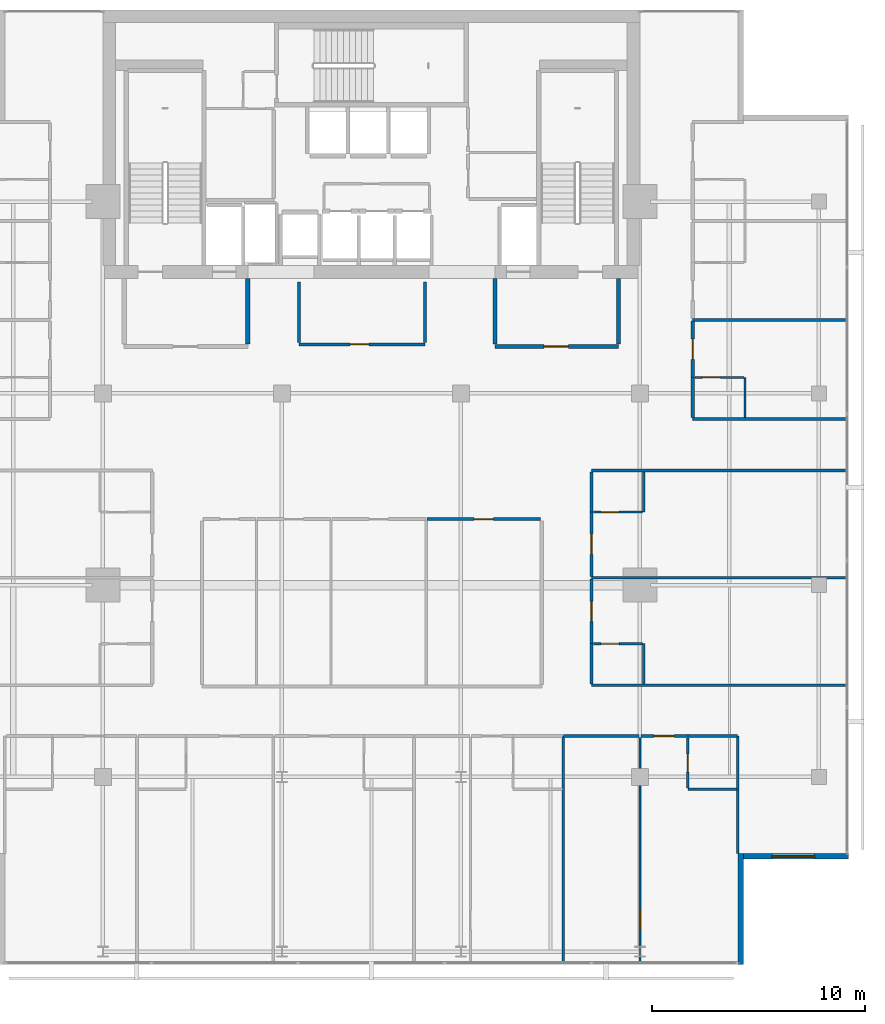
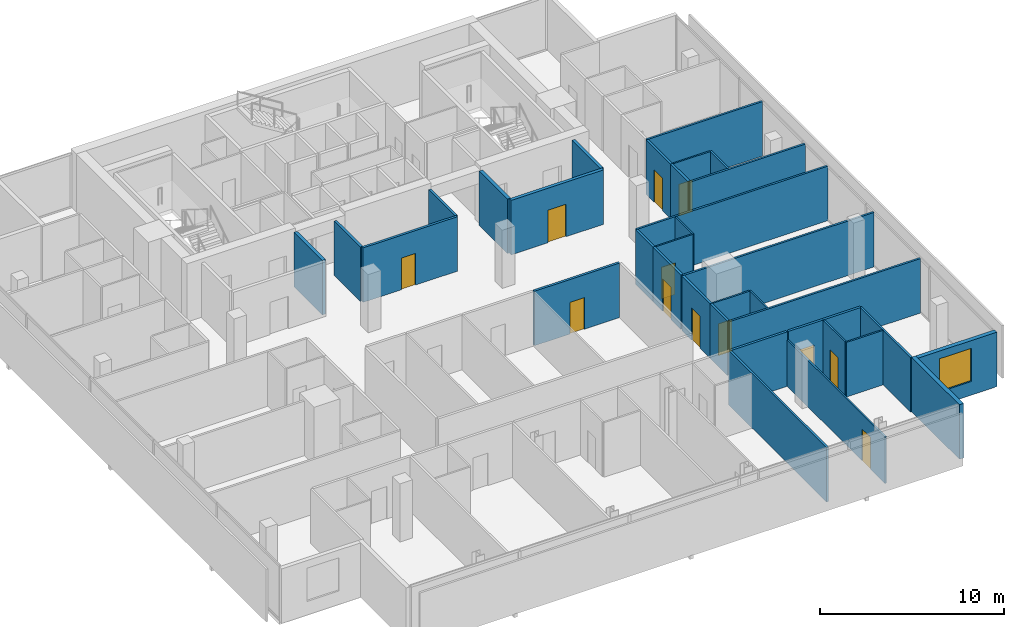
# One storey, part 21 of 26: 35 walls, 12 doors, 1 window, 13 openings.
"""IFC4 building model written with IfcOpenShell, lengths in metres."""

import ifcopenshell
import ifcopenshell.guid

model = None  # the IFC model being written
_history = None  # IfcOwnerHistory: only IFC2X3 demands one
_inside = {}  # id of a spatial element -> (the spatial element, [elements in it])
_under = {}  # id of a project, library or spatial element -> (it, [spatial elements below it])
_declared = {}  # id of a project -> (the project, [libraries it declares])
_typed = {}  # id of a type object -> (the type object, [elements of that type])
_made_of = {}  # id of a material, layer set ... -> (it, [elements and type objects made of it])


def new_model(schema):
    """Start an empty IFC model of exactly this schema.

    Asked for "IFC4X3", IfcOpenShell would pick the latest addendum, in which some entities
    have other attributes; the version numbers below select the first issue.
    IFC2X3 requires an IfcOwnerHistory on every rooted entity: one is made here for all.
    """
    global model, _history
    if schema == "IFC4X3":
        model = ifcopenshell.file(schema_version=(4, 3, 0, 0))
    else:
        model = ifcopenshell.file(schema=schema)
    _inside.clear()
    _under.clear()
    _declared.clear()
    _typed.clear()
    _made_of.clear()
    _history = None
    if model.schema == "IFC2X3":
        org = make("IfcOrganization", Name="unknown")
        user = make(
            "IfcPersonAndOrganization",
            ThePerson=make("IfcPerson", FamilyName="unknown"),
            TheOrganization=org,
        )
        app = make(
            "IfcApplication",
            ApplicationDeveloper=org,
            Version="unknown",
            ApplicationFullName="unknown",
            ApplicationIdentifier="unknown",
        )
        _history = make(
            "IfcOwnerHistory",
            OwningUser=user,
            OwningApplication=app,
            ChangeAction="ADDED",
            CreationDate=0,
        )
    return model


def make(cls, **values):
    """One entity of the class cls with the attributes given. An attribute that is None is left unset."""
    return model.create_entity(
        cls, **{name: value for name, value in values.items() if value is not None}
    )


def rooted(cls, **values):
    """An entity with a GlobalId (a new one), such as an element, a storey or a relation."""
    return make(cls, GlobalId=ifcopenshell.guid.new(), OwnerHistory=_history, **values)


def si_unit(unit_type, name, prefix=None):
    """IfcSIUnit, for example si_unit("LENGTHUNIT", "METRE", prefix="MILLI")."""
    return make("IfcSIUnit", UnitType=unit_type, Prefix=prefix, Name=name)


def assignment(units):
    """IfcUnitAssignment: the units of a project."""
    return None if units is None else make("IfcUnitAssignment", Units=units)


def point(xyz):
    """IfcCartesianPoint."""
    return None if xyz is None else make("IfcCartesianPoint", Coordinates=xyz)


def direction(xyz):
    """IfcDirection."""
    return None if xyz is None else make("IfcDirection", DirectionRatios=xyz)


def frame(location, z_axis=None, x_axis=None):
    """IfcAxis2Placement3D, a coordinate frame: its origin and axes. An axis left out is left unset."""
    return make(
        "IfcAxis2Placement3D",
        Location=point(location),
        Axis=direction(z_axis),
        RefDirection=direction(x_axis),
    )


def frame_2d(location, x_axis=None):
    """IfcAxis2Placement2D, a coordinate frame in the plane: its origin and x axis."""
    return make(
        "IfcAxis2Placement2D", Location=point(location), RefDirection=direction(x_axis)
    )


def origin():
    """The frame at (0, 0, 0) with its axes left unset."""
    return frame((0.0, 0.0, 0.0))


def place(relative_to, where):
    """IfcLocalPlacement: puts the frame where relative to a parent placement (None: the world)."""
    return make(
        "IfcLocalPlacement", PlacementRelTo=relative_to, RelativePlacement=where
    )


def context(
    kind, dimensions, precision=None, world=None, true_north=None, identifier=None
):
    """IfcGeometricRepresentationContext, for example the 3D "Model" context."""
    return make(
        "IfcGeometricRepresentationContext",
        ContextIdentifier=identifier,
        ContextType=kind,
        CoordinateSpaceDimension=dimensions,
        Precision=precision,
        WorldCoordinateSystem=world,
        TrueNorth=true_north,
    )


def subcontext(parent, identifier, kind, view, scale=None):
    """IfcGeometricRepresentationSubContext, for example "Body" below "Model"."""
    return make(
        "IfcGeometricRepresentationSubContext",
        ContextIdentifier=identifier,
        ContextType=kind,
        ParentContext=parent,
        TargetScale=scale,
        TargetView=view,
    )


def project(units=None, contexts=None):
    """IfcProject with its units and contexts."""
    return rooted(
        "IfcProject",
        Name="project",
        RepresentationContexts=contexts,
        UnitsInContext=assignment(units),
    )


def spatial(cls, under=None, at=None, **own):
    """A site, building, storey or space (cls), placed at a placement, below another one or the project."""
    s = rooted(cls, ObjectPlacement=at, **own)
    if under is not None:
        _under.setdefault(under.id(), (under, []))[1].append(s)
    return s


def profile(cls, at=None, kind="AREA", **sizes):
    """A parametric profile (cls). Its sizes go by their IFC names, for example OverallWidth=200.0."""
    return make(cls, ProfileType=kind, Position=at, **sizes)


def rectangle(**sizes):
    """IfcRectangleProfileDef."""
    return profile("IfcRectangleProfileDef", **sizes)


def extrude(swept, where, along, depth):
    """IfcExtrudedAreaSolid: the profile swept, set in the frame where, extruded along a direction by depth."""
    return make(
        "IfcExtrudedAreaSolid",
        SweptArea=swept,
        Position=where,
        ExtrudedDirection=direction(along),
        Depth=depth,
    )


def shape(context_of_items, identifier, shape_type, items):
    """IfcShapeRepresentation: the items that make up one representation, for example the "Body"."""
    return make(
        "IfcShapeRepresentation",
        ContextOfItems=context_of_items,
        RepresentationIdentifier=identifier,
        RepresentationType=shape_type,
        Items=items,
    )


def material(Name=None, Category=None):
    """IfcMaterial."""
    return make("IfcMaterial", Name=Name, Category=Category)


def layer(
    of_material, thickness, ventilated=None, Name=None, Category=None, Priority=None
):
    """IfcMaterialLayer: one layer of a wall or slab, of a material (None: an air gap)."""
    return make(
        "IfcMaterialLayer",
        Material=of_material,
        LayerThickness=thickness,
        IsVentilated=ventilated,
        Name=Name,
        Category=Category,
        Priority=Priority,
    )


def layer_set(layers, Name=None):
    """IfcMaterialLayerSet."""
    return make("IfcMaterialLayerSet", MaterialLayers=layers, LayerSetName=Name)


def made_of(thing, what):
    """Note that an element or type object is made of a material, layer set ...; save() writes the relation."""
    if what is not None:
        _made_of.setdefault(what.id(), (what, []))[1].append(thing)
    return thing


def type_object(cls, material=None, **own):
    """A type object (cls), such as IfcWallType, which elements share."""
    return made_of(rooted(cls, **own), material)


def element(
    cls,
    number,
    at=None,
    inside=None,
    cuts=None,
    type_object=None,
    material=None,
    context=None,
    identifier="Body",
    shape_type=None,
    held_by="IfcProductDefinitionShape",
    body=None,
    shapes=None,
    **own,
):
    """One element of the class cls, such as IfcWall. Its Tag is "e" and its number.

    at: its placement. inside: the storey or other place that contains it. cuts: it is an
    opening in that element (IfcRelVoidsElement). A single representation is given by context,
    identifier, shape_type and body (its items); several are given by shapes. held_by: the class
    of the entity that holds the representations. save() writes the other relations.
    """
    e = rooted(cls, Tag="e%d" % number, ObjectPlacement=at, **own)
    if body is not None:
        shapes = [shape(context, identifier, shape_type, body)]
    if shapes is not None:
        e.Representation = make(held_by, Representations=shapes)
    if inside is not None:
        _inside.setdefault(inside.id(), (inside, []))[1].append(e)
    if cuts is not None:
        rooted(
            "IfcRelVoidsElement", RelatingBuildingElement=cuts, RelatedOpeningElement=e
        )
    if type_object is not None:
        _typed.setdefault(type_object.id(), (type_object, []))[1].append(e)
    return made_of(e, material)


def fill(opening, filler):
    """IfcRelFillsElement: the door or window that sits in an opening."""
    return rooted(
        "IfcRelFillsElement",
        RelatingOpeningElement=opening,
        RelatedBuildingElement=filler,
    )


def aggregate(whole, parts):
    """IfcRelAggregates: a whole, such as a stair, and the parts it consists of."""
    return rooted("IfcRelAggregates", RelatingObject=whole, RelatedObjects=parts)


def save(model, path):
    """Write the relations noted so far, then the file.

    IfcRelAggregates (storeys below a building ...), IfcRelContainedInSpatialStructure (elements
    in a storey), IfcRelDefinesByType, IfcRelAssociatesMaterial and IfcRelDeclares: one each for
    every whole, place, type object, material and project.
    """
    for whole, parts in _under.values():
        aggregate(whole, parts)
    for where, things in _inside.values():
        rooted(
            "IfcRelContainedInSpatialStructure",
            RelatedElements=things,
            RelatingStructure=where,
        )
    for kind, things in _typed.values():
        rooted("IfcRelDefinesByType", RelatedObjects=things, RelatingType=kind)
    for what, things in _made_of.values():
        rooted("IfcRelAssociatesMaterial", RelatedObjects=things, RelatingMaterial=what)
    for by, libraries in _declared.values():
        rooted("IfcRelDeclares", RelatingContext=by, RelatedDefinitions=libraries)
    model.write(path)


model = new_model("IFC4")

# Units and contexts
model_context = context("Model", 3, precision=1e-05, world=origin(), true_north=direction((0.0, 1.0)))
body_context = subcontext(model_context, "Body", "Model", "MODEL_VIEW")
ifc_project = project(units=[si_unit("LENGTHUNIT", "METRE"), si_unit("AREAUNIT", "SQUARE_METRE"), si_unit("VOLUMEUNIT", "CUBIC_METRE"), si_unit("PLANEANGLEUNIT", "RADIAN"), si_unit("MASSUNIT", "GRAM", prefix="KILO")], contexts=[model_context])

# Site, building, storey
site_placement = place(None, origin())
site = spatial("IfcSite", under=ifc_project, at=site_placement, CompositionType="ELEMENT")
building_placement = place(site_placement, origin())
building = spatial("IfcBuilding", under=site, at=building_placement, Name="Maruvema Waterfront Hotel and Observation Tower", CompositionType="ELEMENT")
storey_placement = place(building_placement, frame((0.0, 0.0, 293.300048828125)))
storey = spatial("IfcBuildingStorey", under=building, at=storey_placement, Name="L72", CompositionType="ELEMENT", Elevation=293.300048828125)

# Wall, opening, door
ifc_material_1 = material(Name="Twin-stud acoustic gypsum drywall", Category="gypsum")
ifc_layer_1 = layer(ifc_material_1, 0.14990234375, Name="Acoustic Corridor and Suite Demising Wall 150 mm")
ifc_layer_set_1 = layer_set([ifc_layer_1], Name="Twin-stud acoustic gypsum drywall")
wall_type_1 = type_object("IfcWallType", Name="Acoustic Corridor and Suite Demising Wall 150 mm", PredefinedType="PARTITIONING", material=ifc_layer_set_1)
wall_1_placement = place(storey_placement, frame((34.39990234375, 38.300048828125, 0.0), z_axis=(0.0, 0.0, 1.0), x_axis=(1.0, 0.0, 0.0)))
wall_1 = element("IfcWall", 1, at=wall_1_placement, inside=storey, type_object=wall_type_1, Name="L72 Core Apron K0 South 022", PredefinedType="PARTITIONING", context=body_context, shape_type="SweptSolid", body=[
    extrude(rectangle(XDim=5.920166015625, YDim=0.14990234375, at=frame_2d((2.9599609375, 0.0))), origin(), (0.0, 0.0, 1.0), 3.60986328125),
])
opening_1_placement = place(wall_1_placement, frame((2.39990234375, 0.0, 0.0)))
opening_1 = element("IfcOpeningElement", 2, at=opening_1_placement, cuts=wall_1, Name="Opening DR-090", PredefinedType="OPENING", context=body_context, shape_type="SweptSolid", body=[
    extrude(rectangle(XDim=0.89990234375, YDim=2.10009765625, at=frame_2d((0.449951171875, 1.050048828125))), frame((0.0, 0.0849609375, 0.0), z_axis=(0.0, -1.0, 0.0), x_axis=(1.0, 0.0, 0.0)), (0.0, 0.0, 1.0), 0.169921875),
])
ifc_material_2 = material(Name="Solid-core lacquered timber leaf", Category="wood")
door_type_1 = type_object("IfcDoorType", Name="Accessible Toilet and Room Door 900x2100 mm", OperationType="NOTDEFINED", PredefinedType="DOOR", material=ifc_material_2)
door_1_placement = place(opening_1_placement, frame((0.89990234375, 0.0, 0.0), z_axis=(0.0, 0.0, 1.0), x_axis=(-1.0, 0.0, 0.0)))
door_1 = element("IfcDoor", 3, at=door_1_placement, inside=storey, type_object=door_type_1, Name="L72 Core Valet Room Door", OperationType="SINGLE_SWING_RIGHT", OverallHeight=2.10009765625, OverallWidth=0.89990234375, PredefinedType="DOOR", context=body_context, shape_type="SweptSolid", body=[
    extrude(rectangle(XDim=0.89990234375, YDim=2.10009765625, at=frame_2d((0.449951171875, 1.050048828125))), frame((0.0, 0.02490234375, 0.0), z_axis=(0.0, -1.0, 0.0), x_axis=(1.0, 0.0, 0.0)), (0.0, 0.0, 1.0), 0.050048828125),
])
fill(opening_1, door_1)

# Walls
for number, where, z_axis, x_axis, name in (
    (4, (34.39990234375, 38.3798828125, 0.0), (0.0, 0.0, 1.0), (0.0, 1.0, 0.0), "L72 Core Apron K0 West 023"),
    (5, (40.320068359375, 38.3798828125, 0.0), (0.0, 0.0, 1.0), (0.0, 1.0, 0.0), "L72 Core Apron K0 East 024"),
):
    element("IfcWall", number, at=place(storey_placement, frame(where, z_axis=z_axis, x_axis=x_axis)), inside=storey, type_object=wall_type_1, Name=name, PredefinedType="PARTITIONING", context=body_context, shape_type="SweptSolid", body=[
        extrude(rectangle(XDim=2.840087890625, YDim=0.14990234375, at=frame_2d((1.419921875, 0.0))), origin(), (0.0, 0.0, 1.0), 3.60986328125),
    ])

# Wall, opening, door
wall_2_placement = place(storey_placement, frame((40.406982421875, 30.10009765625, 0.0), z_axis=(0.0, 0.0, 1.0), x_axis=(1.0, 0.0, 0.0)))
wall_2 = element("IfcWall", 6, at=wall_2_placement, inside=storey, type_object=wall_type_1, Name="L72 L72-Z3M Front 4 034", PredefinedType="PARTITIONING", context=body_context, shape_type="SweptSolid", body=[
    extrude(rectangle(XDim=5.3330078125, YDim=0.14990234375, at=frame_2d((2.66650390625, 0.0))), origin(), (0.0, 0.0, 1.0), 3.60986328125),
])
opening_2_placement = place(wall_2_placement, frame((2.216552734375, 0.0, 0.0)))
opening_2 = element("IfcOpeningElement", 7, at=opening_2_placement, cuts=wall_2, Name="Opening DR-090", PredefinedType="OPENING", context=body_context, shape_type="SweptSolid", body=[
    extrude(rectangle(XDim=0.89990234375, YDim=2.10009765625, at=frame_2d((0.449951171875, 1.050048828125))), frame((0.0, 0.0849609375, 0.0), z_axis=(0.0, -1.0, 0.0), x_axis=(1.0, 0.0, 0.0)), (0.0, 0.0, 1.0), 0.169921875),
])
door_2_placement = place(opening_2_placement, origin())
door_2 = element("IfcDoor", 8, at=door_2_placement, inside=storey, type_object=door_type_1, Name="L72 Refreshment Kitchen Door", OperationType="SINGLE_SWING_RIGHT", OverallHeight=2.10009765625, OverallWidth=0.89990234375, PredefinedType="DOOR", context=body_context, shape_type="SweptSolid", body=[
    extrude(rectangle(XDim=0.89990234375, YDim=2.10009765625, at=frame_2d((0.449951171875, 1.050048828125))), frame((0.0, 0.02490234375, 0.0), z_axis=(0.0, -1.0, 0.0), x_axis=(1.0, 0.0, 0.0)), (0.0, 0.0, 1.0), 0.050048828125),
])
fill(opening_2, door_2)

# Walls
wall_3_placement = place(storey_placement, frame((52.64990234375, 19.919921875, 0.0), z_axis=(0.0, 0.0, 1.0), x_axis=(1.0, 0.0, 0.0)))
element("IfcWall", 9, at=wall_3_placement, inside=storey, type_object=wall_type_1, Name="L72 Bath L72-S5 Back Wall 059", PredefinedType="PARTITIONING", context=body_context, shape_type="SweptSolid", body=[
    extrude(rectangle(XDim=2.330078125, YDim=0.14990234375, at=frame_2d((1.1650390625, 0.0))), origin(), (0.0, 0.0, 1.0), 3.60986328125),
])
wall_4_placement = place(storey_placement, frame((46.820068359375, 19.919921875, 0.0), z_axis=(0.0, 0.0, 1.0), x_axis=(1.0, 0.0, 0.0)))
element("IfcWall", 10, at=wall_4_placement, inside=storey, type_object=wall_type_1, Name="L72 Bedroom L72-S5 Back Wall 062", PredefinedType="PARTITIONING", context=body_context, shape_type="SweptSolid", body=[
    extrude(rectangle(XDim=3.5478515625, YDim=0.14990234375, at=frame_2d((1.77392578125, 0.0))), origin(), (0.0, 0.0, 1.0), 3.60986328125),
])

# Wall, opening, door
wall_5_placement = place(storey_placement, frame((50.447998046875, 19.919921875, 0.0), z_axis=(0.0, 0.0, 1.0), x_axis=(1.0, 0.0, 0.0)))
wall_5 = element("IfcWall", 11, at=wall_5_placement, inside=storey, type_object=wall_type_1, Name="L72 Unit L72-S5 Corridor Wall 063", PredefinedType="PARTITIONING", context=body_context, shape_type="SweptSolid", body=[
    extrude(rectangle(XDim=2.201904296875, YDim=0.14990234375, at=frame_2d((1.10107421875, 0.0))), origin(), (0.0, 0.0, 1.0), 3.60986328125),
])
opening_3_placement = place(wall_5_placement, frame((0.6259765625, 0.0, 0.0)))
opening_3 = element("IfcOpeningElement", 12, at=opening_3_placement, cuts=wall_5, Name="Opening DR-095", PredefinedType="OPENING", context=body_context, shape_type="SweptSolid", body=[
    extrude(rectangle(XDim=0.949951171875, YDim=2.14990234375, at=frame_2d((0.47509765625, 1.074951171875))), frame((0.0, 0.0849609375, 0.0), z_axis=(0.0, -1.0, 0.0), x_axis=(1.0, 0.0, 0.0)), (0.0, 0.0, 1.0), 0.169921875),
])
ifc_material_3 = material(Name="Acoustic solid-core hardwood timber leaf", Category="wood")
door_type_2 = type_object("IfcDoorType", Name="Guestroom Entrance Fire Door 950x2150 mm", OperationType="NOTDEFINED", PredefinedType="DOOR", material=ifc_material_3)
door_3_placement = place(opening_3_placement, frame((0.949951171875, 0.0, 0.0), z_axis=(0.0, 0.0, 1.0), x_axis=(-1.0, 0.0, 0.0)))
door_3 = element("IfcDoor", 13, at=door_3_placement, inside=storey, type_object=door_type_2, Name="L72 Unit L72-S5 Entrance Door", OperationType="SINGLE_SWING_LEFT", OverallHeight=2.14990234375, OverallWidth=0.949951171875, PredefinedType="DOOR", context=body_context, shape_type="SweptSolid", body=[
    extrude(rectangle(XDim=0.949951171875, YDim=2.14990234375, at=frame_2d((0.47509765625, 1.074951171875))), frame((0.0, 0.02490234375, 0.0), z_axis=(0.0, -1.0, 0.0), x_axis=(1.0, 0.0, 0.0)), (0.0, 0.0, 1.0), 0.050048828125),
])
fill(opening_3, door_3)

# Wall
wall_6_placement = place(storey_placement, frame((48.1298828125, 22.360107421875, 0.0), z_axis=(0.0, 0.0, 1.0), x_axis=(0.0, 1.0, 0.0)))
element("IfcWall", 14, at=wall_6_placement, inside=storey, type_object=wall_type_1, Name="L72 Bath L72-E1 Wall 073", PredefinedType="PARTITIONING", context=body_context, shape_type="SweptSolid", body=[
    extrude(rectangle(XDim=1.889892578125, YDim=0.14990234375, at=frame_2d((0.94482421875, 0.0))), origin(), (0.0, 0.0, 1.0), 3.60986328125),
])

# Wall, opening, door
wall_7_placement = place(storey_placement, frame((48.1298828125, 24.25, 0.0), z_axis=(0.0, 0.0, 1.0), x_axis=(0.0, 1.0, 0.0)))
wall_7 = element("IfcWall", 15, at=wall_7_placement, inside=storey, type_object=wall_type_1, Name="L72 Room L72-E1 Corridor Wall 074", PredefinedType="PARTITIONING", context=body_context, shape_type="SweptSolid", body=[
    extrude(rectangle(XDim=3.030029296875, YDim=0.14990234375, at=frame_2d((1.51513671875, 0.0))), origin(), (0.0, 0.0, 1.0), 3.60986328125),
])
opening_4_placement = place(wall_7_placement, frame((1.0400390625, 0.0, 0.0)))
opening_4 = element("IfcOpeningElement", 16, at=opening_4_placement, cuts=wall_7, Name="Opening DR-095", PredefinedType="OPENING", context=body_context, shape_type="SweptSolid", body=[
    extrude(rectangle(XDim=0.949951171875, YDim=2.14990234375, at=frame_2d((0.47509765625, 1.074951171875))), frame((0.0, 0.0849609375, 0.0), z_axis=(0.0, -1.0, 0.0), x_axis=(1.0, 0.0, 0.0)), (0.0, 0.0, 1.0), 0.169921875),
])
door_4_placement = place(opening_4_placement, frame((0.949951171875, 0.0, 0.0), z_axis=(0.0, 0.0, 1.0), x_axis=(-1.0, 0.0, 0.0)))
door_4 = element("IfcDoor", 17, at=door_4_placement, inside=storey, type_object=door_type_2, Name="L72 Room L72-E1 Entrance Door", OperationType="SINGLE_SWING_RIGHT", OverallHeight=2.14990234375, OverallWidth=0.949951171875, PredefinedType="DOOR", context=body_context, shape_type="SweptSolid", body=[
    extrude(rectangle(XDim=0.949951171875, YDim=2.14990234375, at=frame_2d((0.47509765625, 1.074951171875))), frame((0.0, 0.02490234375, 0.0), z_axis=(0.0, -1.0, 0.0), x_axis=(1.0, 0.0, 0.0)), (0.0, 0.0, 1.0), 0.050048828125),
])
fill(opening_4, door_4)

wall_8_placement = place(storey_placement, frame((48.1298828125, 27.39990234375, 0.0), z_axis=(0.0, 0.0, 1.0), x_axis=(0.0, 1.0, 0.0)))
wall_8 = element("IfcWall", 18, at=wall_8_placement, inside=storey, type_object=wall_type_1, Name="L72 Room L72-E2 Corridor Wall 083", PredefinedType="PARTITIONING", context=body_context, shape_type="SweptSolid", body=[
    extrude(rectangle(XDim=3.030029296875, YDim=0.14990234375, at=frame_2d((1.51513671875, 0.0))), origin(), (0.0, 0.0, 1.0), 3.60986328125),
])
opening_5_placement = place(wall_8_placement, frame((1.0400390625, 0.0, 0.0)))
opening_5 = element("IfcOpeningElement", 19, at=opening_5_placement, cuts=wall_8, Name="Opening DR-095", PredefinedType="OPENING", context=body_context, shape_type="SweptSolid", body=[
    extrude(rectangle(XDim=0.949951171875, YDim=2.14990234375, at=frame_2d((0.47509765625, 1.074951171875))), frame((0.0, 0.0849609375, 0.0), z_axis=(0.0, -1.0, 0.0), x_axis=(1.0, 0.0, 0.0)), (0.0, 0.0, 1.0), 0.169921875),
])
door_5_placement = place(opening_5_placement, frame((0.949951171875, 0.0, 0.0), z_axis=(0.0, 0.0, 1.0), x_axis=(-1.0, 0.0, 0.0)))
door_5 = element("IfcDoor", 20, at=door_5_placement, inside=storey, type_object=door_type_2, Name="L72 Room L72-E2 Entrance Door", OperationType="SINGLE_SWING_RIGHT", OverallHeight=2.14990234375, OverallWidth=0.949951171875, PredefinedType="DOOR", context=body_context, shape_type="SweptSolid", body=[
    extrude(rectangle(XDim=0.949951171875, YDim=2.14990234375, at=frame_2d((0.47509765625, 1.074951171875))), frame((0.0, 0.02490234375, 0.0), z_axis=(0.0, -1.0, 0.0), x_axis=(1.0, 0.0, 0.0)), (0.0, 0.0, 1.0), 0.050048828125),
])
fill(opening_5, door_5)

# Walls
wall_9_placement = place(storey_placement, frame((48.1298828125, 30.429931640625, 0.0), z_axis=(0.0, 0.0, 1.0), x_axis=(0.0, 1.0, 0.0)))
element("IfcWall", 21, at=wall_9_placement, inside=storey, type_object=wall_type_1, Name="L72 Bath L72-E2 Wall 084", PredefinedType="PARTITIONING", context=body_context, shape_type="SweptSolid", body=[
    extrude(rectangle(XDim=1.89013671875, YDim=0.14990234375, at=frame_2d((0.945068359375, 0.0))), origin(), (0.0, 0.0, 1.0), 3.60986328125),
])
wall_10_placement = place(storey_placement, frame((52.8798828125, 34.860107421875, 0.0), z_axis=(0.0, 0.0, 1.0), x_axis=(0.0, 1.0, 0.0)))
element("IfcWall", 22, at=wall_10_placement, inside=storey, type_object=wall_type_1, Name="L72 Bath L72-NE1 Wall 095", PredefinedType="PARTITIONING", context=body_context, shape_type="SweptSolid", body=[
    extrude(rectangle(XDim=1.889892578125, YDim=0.14990234375, at=frame_2d((0.94482421875, 0.0))), origin(), (0.0, 0.0, 1.0), 3.60986328125),
])

# Wall, opening, door
wall_11_placement = place(storey_placement, frame((52.8798828125, 36.75, 0.0), z_axis=(0.0, 0.0, 1.0), x_axis=(0.0, 1.0, 0.0)))
wall_11 = element("IfcWall", 23, at=wall_11_placement, inside=storey, type_object=wall_type_1, Name="L72 Room L72-NE1 Corridor Wall 096", PredefinedType="PARTITIONING", context=body_context, shape_type="SweptSolid", body=[
    extrude(rectangle(XDim=2.6357421875, YDim=0.14990234375, at=frame_2d((1.31787109375, 0.0))), origin(), (0.0, 0.0, 1.0), 3.60986328125),
])
opening_6_placement = place(wall_11_placement, frame((0.843017578125, 0.0, 0.0)))
opening_6 = element("IfcOpeningElement", 24, at=opening_6_placement, cuts=wall_11, Name="Opening DR-095", PredefinedType="OPENING", context=body_context, shape_type="SweptSolid", body=[
    extrude(rectangle(XDim=0.949951171875, YDim=2.14990234375, at=frame_2d((0.47509765625, 1.074951171875))), frame((0.0, 0.0849609375, 0.0), z_axis=(0.0, -1.0, 0.0), x_axis=(1.0, 0.0, 0.0)), (0.0, 0.0, 1.0), 0.169921875),
])
door_6_placement = place(opening_6_placement, frame((0.949951171875, 0.0, 0.0), z_axis=(0.0, 0.0, 1.0), x_axis=(-1.0, 0.0, 0.0)))
door_6 = element("IfcDoor", 25, at=door_6_placement, inside=storey, type_object=door_type_2, Name="L72 Room L72-NE1 Entrance Door", OperationType="SINGLE_SWING_RIGHT", OverallHeight=2.14990234375, OverallWidth=0.949951171875, PredefinedType="DOOR", context=body_context, shape_type="SweptSolid", body=[
    extrude(rectangle(XDim=0.949951171875, YDim=2.14990234375, at=frame_2d((0.47509765625, 1.074951171875))), frame((0.0, 0.02490234375, 0.0), z_axis=(0.0, -1.0, 0.0), x_axis=(1.0, 0.0, 0.0)), (0.0, 0.0, 1.0), 0.050048828125),
])
fill(opening_6, door_6)

# Wall
ifc_material_4 = material(Name="Moisture-resistant cement-board drywall", Category="gypsum")
ifc_layer_2 = layer(ifc_material_4, 0.10009765625, Name="En-Suite Moisture-Resistant Partition 100 mm")
ifc_layer_set_2 = layer_set([ifc_layer_2], Name="Moisture-resistant cement-board drywall")
wall_type_2 = type_object("IfcWallType", Name="En-Suite Moisture-Resistant Partition 100 mm", PredefinedType="PARTITIONING", material=ifc_layer_set_2)
wall_12_placement = place(storey_placement, frame((52.64990234375, 17.419921875, 0.0), z_axis=(0.0, 0.0, 1.0), x_axis=(1.0, 0.0, 0.0)))
element("IfcWall", 26, at=wall_12_placement, inside=storey, type_object=wall_type_2, Name="L72 En-Suite L72-S5 South 060", PredefinedType="PARTITIONING", context=body_context, shape_type="SweptSolid", body=[
    extrude(rectangle(XDim=2.31005859375, YDim=0.10009765625, at=frame_2d((1.155029296875, 0.0))), origin(), (0.0, 0.0, 1.0), 3.60986328125),
])

# Wall, opening, door
wall_13_placement = place(storey_placement, frame((52.64990234375, 17.47998046875, 0.0), z_axis=(0.0, 0.0, 1.0), x_axis=(0.0, 1.0, 0.0)))
wall_13 = element("IfcWall", 27, at=wall_13_placement, inside=storey, type_object=wall_type_2, Name="L72 En-Suite L72-S5 West 061", PredefinedType="PARTITIONING", context=body_context, shape_type="SweptSolid", body=[
    extrude(rectangle(XDim=2.340087890625, YDim=0.10009765625, at=frame_2d((1.169921875, 0.0))), origin(), (0.0, 0.0, 1.0), 3.60986328125),
])
opening_7_placement = place(wall_13_placement, frame((0.7451171875, 0.0, 0.0)))
opening_7 = element("IfcOpeningElement", 28, at=opening_7_placement, cuts=wall_13, Name="Opening DR-085", PredefinedType="OPENING", context=body_context, shape_type="SweptSolid", body=[
    extrude(rectangle(XDim=0.85009765625, YDim=2.10009765625, at=frame_2d((0.425048828125, 1.050048828125))), frame((0.0, 0.06005859375, 0.0), z_axis=(0.0, -1.0, 0.0), x_axis=(1.0, 0.0, 0.0)), (0.0, 0.0, 1.0), 0.1201171875),
])
ifc_material_5 = material(Name="Moisture-resistant solid timber leaf", Category="wood")
door_type_3 = type_object("IfcDoorType", Name="En-Suite Bathroom Door 850x2100 mm", OperationType="NOTDEFINED", PredefinedType="DOOR", material=ifc_material_5)
door_7_placement = place(opening_7_placement, origin())
door_7 = element("IfcDoor", 29, at=door_7_placement, inside=storey, type_object=door_type_3, Name="L72 En-Suite L72-S5 Door", OperationType="SINGLE_SWING_RIGHT", OverallHeight=2.10009765625, OverallWidth=0.85009765625, PredefinedType="DOOR", context=body_context, shape_type="SweptSolid", body=[
    extrude(rectangle(XDim=0.85009765625, YDim=2.10009765625, at=frame_2d((0.425048828125, 1.050048828125))), frame((0.0, 0.02490234375, 0.0), z_axis=(0.0, -1.0, 0.0), x_axis=(1.0, 0.0, 0.0)), (0.0, 0.0, 1.0), 0.050048828125),
])
fill(opening_7, door_7)

wall_14_placement = place(storey_placement, frame((50.407958984375, 9.22998046875, 0.0), z_axis=(0.0, 0.0, 1.0), x_axis=(0.0, 1.0, 0.0)))
wall_14 = element("IfcWall", 30, at=wall_14_placement, inside=storey, type_object=wall_type_2, Name="L72 Suite L72-S5 Split 064", PredefinedType="PARTITIONING", context=body_context, shape_type="SweptSolid", body=[
    extrude(rectangle(XDim=10.630126953125, YDim=0.10009765625, at=frame_2d((5.31494140625, 0.0))), origin(), (0.0, 0.0, 1.0), 3.0810546875),
])
opening_8_placement = place(wall_14_placement, frame((1.60009765625, 0.0, 0.0)))
opening_8 = element("IfcOpeningElement", 31, at=opening_8_placement, cuts=wall_14, Name="Opening DR-090", PredefinedType="OPENING", context=body_context, shape_type="SweptSolid", body=[
    extrude(rectangle(XDim=0.89990234375, YDim=2.10009765625, at=frame_2d((0.449951171875, 1.050048828125))), frame((0.0, 0.06005859375, 0.0), z_axis=(0.0, -1.0, 0.0), x_axis=(1.0, 0.0, 0.0)), (0.0, 0.0, 1.0), 0.1201171875),
])
door_8_placement = place(opening_8_placement, frame((0.89990234375, 0.0, 0.0), z_axis=(0.0, 0.0, 1.0), x_axis=(-1.0, 0.0, 0.0)))
door_8 = element("IfcDoor", 32, at=door_8_placement, inside=storey, type_object=door_type_1, Name="L72 Suite L72-S5 Bedroom Door", OperationType="SINGLE_SWING_RIGHT", OverallHeight=2.10009765625, OverallWidth=0.89990234375, PredefinedType="DOOR", context=body_context, shape_type="SweptSolid", body=[
    extrude(rectangle(XDim=0.89990234375, YDim=2.10009765625, at=frame_2d((0.449951171875, 1.050048828125))), frame((0.0, 0.02490234375, 0.0), z_axis=(0.0, -1.0, 0.0), x_axis=(1.0, 0.0, 0.0)), (0.0, 0.0, 1.0), 0.050048828125),
])
fill(opening_8, door_8)

# Wall
wall_15_placement = place(storey_placement, frame((50.580078125, 22.360107421875, 0.0), z_axis=(0.0, 0.0, 1.0), x_axis=(0.0, 1.0, 0.0)))
element("IfcWall", 33, at=wall_15_placement, inside=storey, type_object=wall_type_2, Name="L72 En-Suite L72-E1 E 075", PredefinedType="PARTITIONING", context=body_context, shape_type="SweptSolid", body=[
    extrude(rectangle(XDim=1.889892578125, YDim=0.10009765625, at=frame_2d((0.94482421875, 0.0))), origin(), (0.0, 0.0, 1.0), 3.60986328125),
])

# Wall, opening, door
wall_16_placement = place(storey_placement, frame((48.22998046875, 24.25, 0.0), z_axis=(0.0, 0.0, 1.0), x_axis=(1.0, 0.0, 0.0)))
wall_16 = element("IfcWall", 34, at=wall_16_placement, inside=storey, type_object=wall_type_2, Name="L72 En-Suite L72-E1 N 076", PredefinedType="PARTITIONING", context=body_context, shape_type="SweptSolid", body=[
    extrude(rectangle(XDim=2.300048828125, YDim=0.10009765625, at=frame_2d((1.14990234375, 0.0))), origin(), (0.0, 0.0, 1.0), 3.60986328125),
])
opening_9_placement = place(wall_16_placement, frame((0.35009765625, 0.0, 0.0)))
opening_9 = element("IfcOpeningElement", 35, at=opening_9_placement, cuts=wall_16, Name="Opening DR-085", PredefinedType="OPENING", context=body_context, shape_type="SweptSolid", body=[
    extrude(rectangle(XDim=0.85009765625, YDim=2.10009765625, at=frame_2d((0.425048828125, 1.050048828125))), frame((0.0, 0.06005859375, 0.0), z_axis=(0.0, -1.0, 0.0), x_axis=(1.0, 0.0, 0.0)), (0.0, 0.0, 1.0), 0.1201171875),
])
door_9_placement = place(opening_9_placement, origin())
door_9 = element("IfcDoor", 36, at=door_9_placement, inside=storey, type_object=door_type_3, Name="L72 En-Suite L72-E1 Door", OperationType="SINGLE_SWING_LEFT", OverallHeight=2.10009765625, OverallWidth=0.85009765625, PredefinedType="DOOR", context=body_context, shape_type="SweptSolid", body=[
    extrude(rectangle(XDim=0.85009765625, YDim=2.10009765625, at=frame_2d((0.425048828125, 1.050048828125))), frame((0.0, 0.02490234375, 0.0), z_axis=(0.0, -1.0, 0.0), x_axis=(1.0, 0.0, 0.0)), (0.0, 0.0, 1.0), 0.050048828125),
])
fill(opening_9, door_9)

# Wall
wall_17_placement = place(storey_placement, frame((50.580078125, 30.429931640625, 0.0), z_axis=(0.0, 0.0, 1.0), x_axis=(0.0, 1.0, 0.0)))
element("IfcWall", 37, at=wall_17_placement, inside=storey, type_object=wall_type_2, Name="L72 En-Suite L72-E2 E 085", PredefinedType="PARTITIONING", context=body_context, shape_type="SweptSolid", body=[
    extrude(rectangle(XDim=1.89013671875, YDim=0.10009765625, at=frame_2d((0.945068359375, 0.0))), origin(), (0.0, 0.0, 1.0), 3.60986328125),
])

# Wall, opening, door
wall_18_placement = place(storey_placement, frame((48.22998046875, 30.429931640625, 0.0), z_axis=(0.0, 0.0, 1.0), x_axis=(1.0, 0.0, 0.0)))
wall_18 = element("IfcWall", 38, at=wall_18_placement, inside=storey, type_object=wall_type_2, Name="L72 En-Suite L72-E2 S 086", PredefinedType="PARTITIONING", context=body_context, shape_type="SweptSolid", body=[
    extrude(rectangle(XDim=2.300048828125, YDim=0.10009765625, at=frame_2d((1.14990234375, 0.0))), origin(), (0.0, 0.0, 1.0), 3.60986328125),
])
opening_10_placement = place(wall_18_placement, frame((0.35009765625, 0.0, 0.0)))
opening_10 = element("IfcOpeningElement", 39, at=opening_10_placement, cuts=wall_18, Name="Opening DR-085", PredefinedType="OPENING", context=body_context, shape_type="SweptSolid", body=[
    extrude(rectangle(XDim=0.85009765625, YDim=2.10009765625, at=frame_2d((0.425048828125, 1.050048828125))), frame((0.0, 0.06005859375, 0.0), z_axis=(0.0, -1.0, 0.0), x_axis=(1.0, 0.0, 0.0)), (0.0, 0.0, 1.0), 0.1201171875),
])
door_10_placement = place(opening_10_placement, frame((0.85009765625, 0.0, 0.0), z_axis=(0.0, 0.0, 1.0), x_axis=(-1.0, 0.0, 0.0)))
door_10 = element("IfcDoor", 40, at=door_10_placement, inside=storey, type_object=door_type_3, Name="L72 En-Suite L72-E2 Door", OperationType="SINGLE_SWING_LEFT", OverallHeight=2.10009765625, OverallWidth=0.85009765625, PredefinedType="DOOR", context=body_context, shape_type="SweptSolid", body=[
    extrude(rectangle(XDim=0.85009765625, YDim=2.10009765625, at=frame_2d((0.425048828125, 1.050048828125))), frame((0.0, 0.02490234375, 0.0), z_axis=(0.0, -1.0, 0.0), x_axis=(1.0, 0.0, 0.0)), (0.0, 0.0, 1.0), 0.050048828125),
])
fill(opening_10, door_10)

# Wall
wall_19_placement = place(storey_placement, frame((55.330078125, 34.860107421875, 0.0), z_axis=(0.0, 0.0, 1.0), x_axis=(0.0, 1.0, 0.0)))
element("IfcWall", 41, at=wall_19_placement, inside=storey, type_object=wall_type_2, Name="L72 En-Suite L72-NE1 E 097", PredefinedType="PARTITIONING", context=body_context, shape_type="SweptSolid", body=[
    extrude(rectangle(XDim=1.889892578125, YDim=0.10009765625, at=frame_2d((0.94482421875, 0.0))), origin(), (0.0, 0.0, 1.0), 3.60986328125),
])

# Wall, opening, door
wall_20_placement = place(storey_placement, frame((52.97998046875, 36.75, 0.0), z_axis=(0.0, 0.0, 1.0), x_axis=(1.0, 0.0, 0.0)))
wall_20 = element("IfcWall", 42, at=wall_20_placement, inside=storey, type_object=wall_type_2, Name="L72 En-Suite L72-NE1 N 098", PredefinedType="PARTITIONING", context=body_context, shape_type="SweptSolid", body=[
    extrude(rectangle(XDim=2.300048828125, YDim=0.10009765625, at=frame_2d((1.14990234375, 0.0))), origin(), (0.0, 0.0, 1.0), 3.60986328125),
])
opening_11_placement = place(wall_20_placement, frame((0.35009765625, 0.0, 0.0)))
opening_11 = element("IfcOpeningElement", 43, at=opening_11_placement, cuts=wall_20, Name="Opening DR-085", PredefinedType="OPENING", context=body_context, shape_type="SweptSolid", body=[
    extrude(rectangle(XDim=0.85009765625, YDim=2.10009765625, at=frame_2d((0.425048828125, 1.050048828125))), frame((0.0, 0.06005859375, 0.0), z_axis=(0.0, -1.0, 0.0), x_axis=(1.0, 0.0, 0.0)), (0.0, 0.0, 1.0), 0.1201171875),
])
door_11_placement = place(opening_11_placement, origin())
door_11 = element("IfcDoor", 44, at=door_11_placement, inside=storey, type_object=door_type_3, Name="L72 En-Suite L72-NE1 Door", OperationType="SINGLE_SWING_LEFT", OverallHeight=2.10009765625, OverallWidth=0.85009765625, PredefinedType="DOOR", context=body_context, shape_type="SweptSolid", body=[
    extrude(rectangle(XDim=0.85009765625, YDim=2.10009765625, at=frame_2d((0.425048828125, 1.050048828125))), frame((0.0, 0.02490234375, 0.0), z_axis=(0.0, -1.0, 0.0), x_axis=(1.0, 0.0, 0.0)), (0.0, 0.0, 1.0), 0.050048828125),
])
fill(opening_11, door_11)

# Wall
ifc_material_6 = material(Name="Precast concrete C45/55 with honed Pernambuco granite facing", Category="masonry")
ifc_layer_3 = layer(ifc_material_6, 0.260009765625, Name="Exterior Granite Clad Spandrel and Pier Wall 260 mm")
ifc_layer_set_3 = layer_set([ifc_layer_3], Name="Precast concrete C45/55 with honed Pernambuco granite facing")
wall_type_3 = type_object("IfcWallType", Name="Exterior Granite Clad Spandrel and Pier Wall 260 mm", PredefinedType="SOLIDWALL", material=ifc_layer_set_3)
wall_21_placement = place(storey_placement, frame((55.1298828125, 14.39990234375, 0.0), z_axis=(0.0, 0.0, 1.0), x_axis=(0.0, -1.0, 0.0)))
element("IfcWall", 45, at=wall_21_placement, inside=storey, type_object=wall_type_3, Name="L72 Corner Notch Granite Pier Wall SE1", PredefinedType="SOLIDWALL", context=body_context, shape_type="SweptSolid", body=[
    extrude(rectangle(XDim=5.199951171875, YDim=0.260009765625, at=frame_2d((2.60009765625, 0.0))), origin(), (0.0, 0.0, 1.0), 3.60986328125),
])

# Wall, opening, window
wall_22_placement = place(storey_placement, frame((60.199951171875, 14.27001953125, 0.0), z_axis=(0.0, 0.0, 1.0), x_axis=(-1.0, 0.0, 0.0)))
wall_22 = element("IfcWall", 46, at=wall_22_placement, inside=storey, type_object=wall_type_3, Name="L72 Corner Notch Granite Pier Wall SE2", PredefinedType="SOLIDWALL", context=body_context, shape_type="SweptSolid", body=[
    extrude(rectangle(XDim=5.199951171875, YDim=0.260009765625, at=frame_2d((2.60009765625, 0.0))), origin(), (0.0, 0.0, 1.0), 3.60986328125),
])
opening_12_placement = place(wall_22_placement, frame((1.60009765625, 0.0, 0.89990234375)))
opening_12 = element("IfcOpeningElement", 47, at=opening_12_placement, cuts=wall_22, Name="Opening WN-03", PredefinedType="OPENING", context=body_context, shape_type="SweptSolid", body=[
    extrude(rectangle(XDim=2.0, YDim=2.199951171875, at=frame_2d((1.0, 1.10009765625))), frame((0.0, 0.14013671875, 0.0), z_axis=(0.0, -1.0, 0.0), x_axis=(1.0, 0.0, 0.0)), (0.0, 0.0, 1.0), 0.280029296875),
])
ifc_material_7 = material(Name="Anodised bronze aluminium frame with laminated low-E glass", Category="aluminium")
window_type = type_object("IfcWindowType", Name="Sky Suite Panoramic Notch Window 2000x2200 mm", PartitioningType="SINGLE_PANEL", PredefinedType="WINDOW", material=ifc_material_7)
window_placement = place(opening_12_placement, origin())
window = element("IfcWindow", 48, at=window_placement, inside=storey, type_object=window_type, Name="L72 Corner Notch Punched Window SE2", OverallHeight=2.199951171875, OverallWidth=2.0, PartitioningType="SINGLE_PANEL", PredefinedType="WINDOW", context=body_context, shape_type="SweptSolid", body=[
    extrude(rectangle(XDim=2.0, YDim=2.199951171875, at=frame_2d((1.0, 1.10009765625))), frame((0.0, 0.030029296875, 0.0), z_axis=(0.0, -1.0, 0.0), x_axis=(1.0, 0.0, 0.0)), (0.0, 0.0, 1.0), 0.06005859375),
])
fill(opening_12, window)

# Wall
ifc_material_8 = material(Name="Autoclaved cellular concrete blockwork", Category="masonry")
ifc_layer_4 = layer(ifc_material_8, 0.199951171875, Name="Fire Compartment Masonry Wall 200 mm")
ifc_layer_set_4 = layer_set([ifc_layer_4], Name="Autoclaved cellular concrete blockwork")
wall_type_4 = type_object("IfcWallType", Name="Fire Compartment Masonry Wall 200 mm", PredefinedType="PARTITIONING", material=ifc_layer_set_4)
wall_23_placement = place(storey_placement, frame((32.0, 38.31005859375, 0.0), z_axis=(0.0, 0.0, 1.0), x_axis=(0.0, 1.0, 0.0)))
element("IfcWall", 49, at=wall_23_placement, inside=storey, type_object=wall_type_4, Name="L72 FFL West East Wall 003", PredefinedType="PARTITIONING", context=body_context, shape_type="SweptSolid", body=[
    extrude(rectangle(XDim=3.06982421875, YDim=0.199951171875, at=frame_2d((1.534912109375, 0.0))), origin(), (0.0, 0.0, 1.0), 3.60986328125),
])

# Wall, opening, door
wall_24_placement = place(storey_placement, frame((43.60009765625, 38.199951171875, 0.0), z_axis=(0.0, 0.0, 1.0), x_axis=(1.0, 0.0, 0.0)))
wall_24 = element("IfcWall", 50, at=wall_24_placement, inside=storey, type_object=wall_type_4, Name="L72 FFL East South Wall 004", PredefinedType="PARTITIONING", context=body_context, shape_type="SweptSolid", body=[
    extrude(rectangle(XDim=5.7998046875, YDim=0.199951171875, at=frame_2d((2.89990234375, 0.0))), origin(), (0.0, 0.0, 1.0), 3.60986328125),
])
opening_13_placement = place(wall_24_placement, frame((2.300048828125, 0.0, 0.0)))
opening_13 = element("IfcOpeningElement", 51, at=opening_13_placement, cuts=wall_24, Name="Opening FD-115", PredefinedType="OPENING", context=body_context, shape_type="SweptSolid", body=[
    extrude(rectangle(XDim=1.14990234375, YDim=2.14990234375, at=frame_2d((0.574951171875, 1.074951171875))), frame((0.0, 0.10986328125, 0.0), z_axis=(0.0, -1.0, 0.0), x_axis=(1.0, 0.0, 0.0)), (0.0, 0.0, 1.0), 0.219970703125),
])
ifc_material_9 = material(Name="Fire-rated galvanised steel and vision glass", Category="steel")
door_type_4 = type_object("IfcDoorType", Name="Firefighting Lobby Fire Door 1150x2150 mm", OperationType="NOTDEFINED", PredefinedType="DOOR", material=ifc_material_9)
door_12_placement = place(opening_13_placement, frame((1.14990234375, 0.0, 0.0), z_axis=(0.0, 0.0, 1.0), x_axis=(-1.0, 0.0, 0.0)))
door_12 = element("IfcDoor", 52, at=door_12_placement, inside=storey, type_object=door_type_4, Name="L72 Firefighting Lobby East Door", OperationType="SINGLE_SWING_LEFT", OverallHeight=2.14990234375, OverallWidth=1.14990234375, PredefinedType="DOOR", context=body_context, shape_type="SweptSolid", body=[
    extrude(rectangle(XDim=1.14990234375, YDim=2.14990234375, at=frame_2d((0.574951171875, 1.074951171875))), frame((0.0, 0.02490234375, 0.0), z_axis=(0.0, -1.0, 0.0), x_axis=(1.0, 0.0, 0.0)), (0.0, 0.0, 1.0), 0.050048828125),
])
fill(opening_13, door_12)

# Walls
for number, where, z_axis, x_axis, name in (
    (53, (43.60009765625, 38.31005859375, 0.0), (0.0, 0.0, 1.0), (0.0, 1.0, 0.0), "L72 FFL East West Wall 005"),
    (54, (49.39990234375, 38.31005859375, 0.0), (0.0, 0.0, 1.0), (0.0, 1.0, 0.0), "L72 FFL East East Wall 006"),
):
    element("IfcWall", number, at=place(storey_placement, frame(where, z_axis=z_axis, x_axis=x_axis)), inside=storey, type_object=wall_type_4, Name=name, PredefinedType="PARTITIONING", context=body_context, shape_type="SweptSolid", body=[
        extrude(rectangle(XDim=3.06982421875, YDim=0.199951171875, at=frame_2d((1.534912109375, 0.0))), origin(), (0.0, 0.0, 1.0), 3.60986328125),
    ])
ifc_material_10 = material(Name="Acoustic gypsum plasterboard drywall", Category="gypsum")
ifc_layer_5 = layer(ifc_material_10, 0.125, Name="Guestroom Acoustic Demising Wall 125 mm")
ifc_layer_set_5 = layer_set([ifc_layer_5], Name="Acoustic gypsum plasterboard drywall")
wall_type_5 = type_object("IfcWallType", Name="Guestroom Acoustic Demising Wall 125 mm", PredefinedType="PARTITIONING", material=ifc_layer_set_5)
wall_25_placement = place(storey_placement, frame((55.0, 14.39990234375, 0.0), z_axis=(0.0, 0.0, 1.0), x_axis=(0.0, 1.0, 0.0)))
element("IfcWall", 55, at=wall_25_placement, inside=storey, type_object=wall_type_5, Name="L72 Z3 S East End 036", PredefinedType="PARTITIONING", context=body_context, shape_type="SweptSolid", body=[
    extrude(rectangle(XDim=5.52001953125, YDim=0.125, at=frame_2d((2.760009765625, 0.0))), origin(), (0.0, 0.0, 1.0), 3.60986328125),
])
wall_26_placement = place(storey_placement, frame((46.800048828125, 9.300048828125, 0.0), z_axis=(0.0, 0.0, 1.0), x_axis=(0.0, 1.0, 0.0)))
element("IfcWall", 56, at=wall_26_placement, inside=storey, type_object=wall_type_5, Name="L72 Z3 S Demising 5 058", PredefinedType="PARTITIONING", context=body_context, shape_type="SweptSolid", body=[
    extrude(rectangle(XDim=10.619873046875, YDim=0.125, at=frame_2d((5.31005859375, 0.0))), origin(), (0.0, 0.0, 1.0), 3.60986328125),
])
for number, where, z_axis, x_axis, name in (
    (57, (48.1298828125, 22.300048828125, 0.0), (0.0, 0.0, 1.0), (1.0, 0.0, 0.0), "L72 Z3 E Bot End 066"),
    (58, (48.1298828125, 32.3798828125, 0.0), (0.0, 0.0, 1.0), (1.0, 0.0, 0.0), "L72 Z3 E Top End 068"),
    (59, (48.1298828125, 27.340087890625, 0.0), (0.0, 0.0, 1.0), (1.0, 0.0, 0.0), "L72 Z3 E Demising 2 078"),
):
    element("IfcWall", number, at=place(storey_placement, frame(where, z_axis=z_axis, x_axis=x_axis)), inside=storey, type_object=wall_type_5, Name=name, PredefinedType="PARTITIONING", context=body_context, shape_type="SweptSolid", body=[
        extrude(rectangle(XDim=11.97021484375, YDim=0.125, at=frame_2d((5.985107421875, 0.0))), origin(), (0.0, 0.0, 1.0), 3.60986328125),
    ])
for number, where, z_axis, x_axis, name in (
    (60, (52.8798828125, 34.800048828125, 0.0), (0.0, 0.0, 1.0), (1.0, 0.0, 0.0), "L72 Z3 NE Bot End 088"),
    (61, (52.8798828125, 39.44580078125, 0.0), (0.0, 0.0, 1.0), (1.0, 0.0, 0.0), "L72 Z3 NE Demising 2 100"),
):
    element("IfcWall", number, at=place(storey_placement, frame(where, z_axis=z_axis, x_axis=x_axis)), inside=storey, type_object=wall_type_5, Name=name, PredefinedType="PARTITIONING", context=body_context, shape_type="SweptSolid", body=[
        extrude(rectangle(XDim=7.22021484375, YDim=0.125, at=frame_2d((3.610107421875, 0.0))), origin(), (0.0, 0.0, 1.0), 3.60986328125),
    ])

save(model, "model.ifc")
